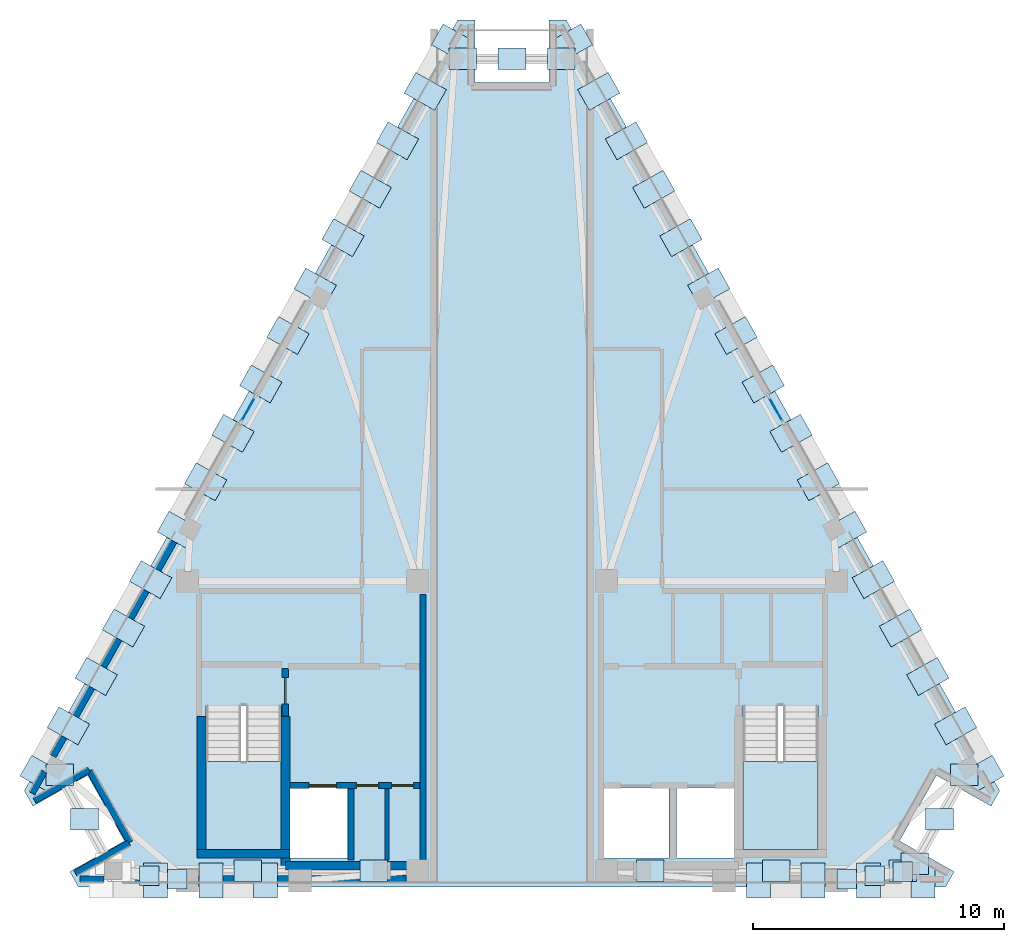
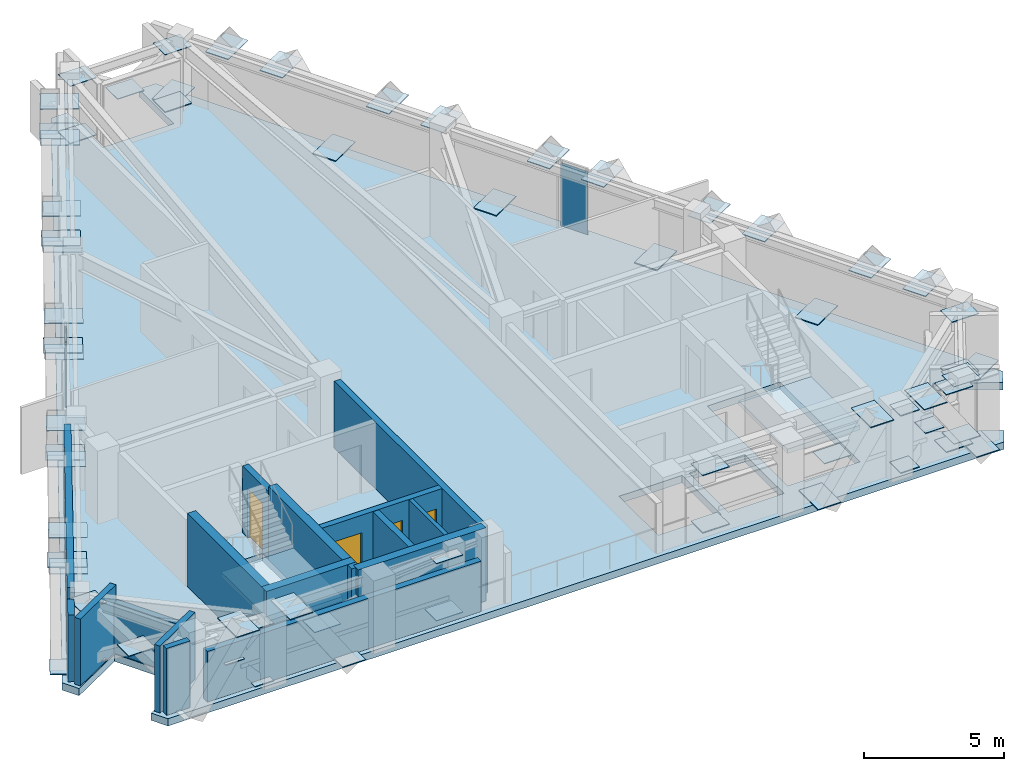
# One storey, part 3 of 7: 70 plates, 16 walls, 4 doors, 3 slabs, 4 openings, 4 elements without a shape of their own.
"""IFC4 building model written with IfcOpenShell, lengths in metres."""

from ifc_helpers import new_model, si_unit, direction, frame, frame_2d, origin, origin_2d, place, context, subcontext, project, spatial, polyline, rectangle, outline, extrude, material, layer, layer_set, type_object, element, fill, aggregate, save


model = new_model("IFC4")

# Units and contexts
model_context = context("Model", 3, precision=1e-05, world=origin(), true_north=direction((0.0, 1.0)))
body_context = subcontext(model_context, "Body", "Model", "MODEL_VIEW")
ifc_project = project(units=[si_unit("LENGTHUNIT", "METRE"), si_unit("AREAUNIT", "SQUARE_METRE"), si_unit("VOLUMEUNIT", "CUBIC_METRE"), si_unit("PLANEANGLEUNIT", "RADIAN"), si_unit("MASSUNIT", "GRAM", prefix="KILO")], contexts=[model_context])

# Site, building, storey
site_placement = place(None, origin())
site = spatial("IfcSite", under=ifc_project, at=site_placement, CompositionType="ELEMENT")
building_placement = place(site_placement, origin())
building = spatial("IfcBuilding", under=site, at=building_placement, Name="Quenlor Broadcast Tower", CompositionType="ELEMENT")
storey_placement = place(building_placement, frame((0.0, 0.0, 270.89990234375)))
storey = spatial("IfcBuildingStorey", under=building, at=storey_placement, Name="L75", CompositionType="ELEMENT", Elevation=270.89990234375)

# Curtain wall, plate
ifc_material_1 = material(Name="Architectural Terracotta and Low-E Glazing", Category="masonry")
curtain_wall_type = type_object("IfcCurtainWallType", Name="Station Concourse and Crown Terracotta Curtain Wall", PredefinedType="NOTDEFINED", material=ifc_material_1)
curtain_wall_1_placement = place(storey_placement, origin())
curtain_wall_1 = element("IfcCurtainWall", 1, at=curtain_wall_1_placement, inside=storey, type_object=curtain_wall_type, Name="L75 Curtain Wall CW6 (L75-NE-G1)", PredefinedType="NOTDEFINED")
ifc_material_2 = material(Name="Double Glazed Low-E Solar Glass", Category="glass")
ifc_layer_1 = layer(ifc_material_2, 0.033935546875)
ifc_layer_set_1 = layer_set([ifc_layer_1], Name="CW6 Double Glazed Vision Panel 34")
plate_type_1 = type_object("IfcPlateType", Name="CW6 Double Glazed Vision Panel 34", PredefinedType="CURTAIN_PANEL", material=ifc_layer_set_1)
plate_1_placement = place(storey_placement, frame((10.5166015625, 2.040771484375, 0.08203125), z_axis=(0.0, 0.0, 1.0), x_axis=(0.490253862078, -0.871579686958, 0.0)))
plate_1 = element("IfcPlate", 2, at=plate_1_placement, type_object=plate_type_1, Name="CW6 panel 1.1", PredefinedType="CURTAIN_PANEL", context=body_context, shape_type="SweptSolid", body=[
    extrude(rectangle(XDim=1.123046875, YDim=0.033935546875, at=origin_2d()), origin(), (0.0, 0.0, 1.0), 2.756103515625),
])
aggregate(curtain_wall_1, [plate_1])

curtain_wall_2_placement = place(storey_placement, origin())
curtain_wall_2 = element("IfcCurtainWall", 3, at=curtain_wall_2_placement, inside=storey, type_object=curtain_wall_type, Name="L75 Curtain Wall CW6 (L75-NW-G1)", PredefinedType="NOTDEFINED")
plate_2_placement = place(storey_placement, frame((-10.5166015625, 2.040771484375, 0.08203125), z_axis=(0.0, 0.0, 1.0), x_axis=(0.490253862078, 0.871579686958, 0.0)))
plate_2 = element("IfcPlate", 4, at=plate_2_placement, type_object=plate_type_1, Name="CW6 panel 1.1", PredefinedType="CURTAIN_PANEL", context=body_context, shape_type="SweptSolid", body=[
    extrude(rectangle(XDim=1.123046875, YDim=0.033935546875, at=origin_2d()), origin(), (0.0, 0.0, 1.0), 2.756103515625),
])
aggregate(curtain_wall_2, [plate_2])

# Slab
ifc_material_3 = material(Name="Concrete C50/60", Category="concrete")
ifc_layer_2 = layer(ifc_material_3, 0.320068359375)
ifc_layer_set_2 = layer_set([ifc_layer_2], Name="Crown Plant Concrete C50/60 Slab 320")
slab_type_1 = type_object("IfcSlabType", Name="Crown Plant Concrete C50/60 Slab 320", PredefinedType="FLOOR", material=ifc_layer_set_2)
slab_1_placement = place(storey_placement, frame((0.0, 0.0, -0.31982421875)))
element("IfcSlab", 5, at=slab_1_placement, inside=storey, type_object=slab_type_1, Name="L75 Structural Floor Slab", PredefinedType="FLOOR", context=body_context, shape_type="SweptSolid", body=[
    extrude(outline(polyline([(17.280029296875, -17.0), (17.62548828125, -16.385498046875), (15.44677734375, -15.159912109375), (16.91552734375, -12.548583984375), (19.094482421875, -13.7744140625), (19.43994140625, -13.159912109375), (2.159912109375, 17.56005859375), (1.46875, 17.56005859375), (1.46875, 15.06005859375), (-1.46875, 15.06005859375), (-1.46875, 17.56005859375), (-2.159912109375, 17.56005859375), (-19.43994140625, -13.159912109375), (-19.094482421875, -13.7744140625), (-16.91552734375, -12.548583984375), (-15.44677734375, -15.159912109375), (-17.62548828125, -16.385498046875), (-17.280029296875, -17.0), (17.280029296875, -17.0)]), holes=[polyline([(-12.199951171875, -9.758056640625), (-12.199951171875, -15.5), (-9.199951171875, -15.5), (-9.199951171875, -9.758056640625), (-12.199951171875, -9.758056640625)]), polyline([(9.199951171875, -9.758056640625), (9.199951171875, -15.5), (12.199951171875, -15.5), (12.199951171875, -9.758056640625), (9.199951171875, -9.758056640625)]), polyline([(-8.85009765625, -15.85009765625), (-6.550048828125, -15.85009765625), (-6.550048828125, -13.050048828125), (-8.85009765625, -13.050048828125), (-8.85009765625, -15.85009765625)]), polyline([(6.550048828125, -15.85009765625), (8.85009765625, -15.85009765625), (8.85009765625, -13.050048828125), (6.550048828125, -13.050048828125), (6.550048828125, -15.85009765625)]), polyline([(3.64990234375, -15.85009765625), (6.25, -15.85009765625), (6.25, -13.050048828125), (3.64990234375, -13.050048828125), (3.64990234375, -15.85009765625)])]), origin(), (0.0, 0.0, 1.0), 0.31982421875),
])

# Plates
ifc_material_4 = material(Name="Steel S355", Category="steel")
ifc_layer_3 = layer(ifc_material_4, 0.031982421875)
ifc_layer_set_3 = layer_set([ifc_layer_3], Name="Outrigger Perimeter Steel S355 Belt Gusset Plate 1100x850x32")
plate_type_2 = type_object("IfcPlateType", Name="Outrigger Perimeter Steel S355 Belt Gusset Plate 1100x850x32", PredefinedType="SHEET", material=ifc_layer_set_3)
for number, where, z_axis, x_axis, name in (
    (6, (-10.540771484375, -16.35009765625, 1.43408203125), (0.0, 0.0, 1.0), (1.0, 0.0, 0.0), "L75 Belt Truss Gusset Plate 1-MID"),
    (7, (-5.50390625, -16.35009765625, 2.68408203125), (0.0, 0.0, 1.0), (1.0, 0.0, 0.0), "L75 Belt Truss Gusset Plate 1-E2"),
    (8, (-5.50390625, -16.35009765625, 0.18408203125), (0.0, 0.0, 1.0), (1.0, 0.0, 0.0), "L75 Belt Truss Gusset Plate 1-E4"),
    (9, (10.540771484375, -16.35009765625, 1.43408203125), (0.0, 0.0, 1.0), (1.0, 0.0, 0.0), "L75 Belt Truss Gusset Plate 3-MID"),
    (10, (5.50390625, -16.35009765625, 0.18408203125), (0.0, 0.0, 1.0), (1.0, 0.0, 0.0), "L75 Belt Truss Gusset Plate 3-E1"),
    (11, (15.57763671875, -16.35009765625, 2.68408203125), (0.0, 0.0, 1.0), (1.0, 0.0, 0.0), "L75 Belt Truss Gusset Plate 3-E2"),
    (12, (5.50390625, -16.35009765625, 2.68408203125), (0.0, 0.0, 1.0), (1.0, 0.0, 0.0), "L75 Belt Truss Gusset Plate 3-E3"),
    (13, (15.57763671875, -16.35009765625, 0.18408203125), (0.0, 0.0, 1.0), (1.0, 0.0, 0.0), "L75 Belt Truss Gusset Plate 3-E4"),
    (14, (17.039794921875, -14.2998046875, 1.43408203125), (0.0, 0.0, 1.0), (1.0, 0.0, 0.0), "L75 Belt Truss Gusset Plate 4-MID"),
    (15, (16.053466796875, -16.070556640625, 0.18408203125), (0.0, 0.0, 1.0), (1.0, 0.0, 0.0), "L75 Belt Truss Gusset Plate 4-E1"),
    (16, (18.026611328125, -12.529296875, 2.68408203125), (0.0, 0.0, 1.0), (1.0, 0.0, 0.0), "L75 Belt Truss Gusset Plate 4-E2"),
    (17, (16.053466796875, -16.070556640625, 2.68408203125), (0.0, 0.0, 1.0), (1.0, 0.0, 0.0), "L75 Belt Truss Gusset Plate 4-E3"),
    (18, (18.026611328125, -12.529296875, 0.18408203125), (0.0, 0.0, 1.0), (1.0, 0.0, 0.0), "L75 Belt Truss Gusset Plate 4-E4"),
    (19, (0.0, 16.012451171875, 1.43408203125), (0.0, 0.0, 1.0), (1.0, 0.0, 0.0), "L75 Belt Truss Gusset Plate 8-MID"),
    (20, (1.964599609375, 16.012451171875, 0.18408203125), (0.0, 0.0, 1.0), (1.0, 0.0, 0.0), "L75 Belt Truss Gusset Plate 8-E1"),
    (21, (-1.964599609375, 16.012451171875, 2.68408203125), (0.0, 0.0, 1.0), (1.0, 0.0, 0.0), "L75 Belt Truss Gusset Plate 8-E2"),
    (22, (1.964599609375, 16.012451171875, 2.68408203125), (0.0, 0.0, 1.0), (1.0, 0.0, 0.0), "L75 Belt Truss Gusset Plate 8-E3"),
    (23, (-1.964599609375, 16.012451171875, 0.18408203125), (0.0, 0.0, 1.0), (1.0, 0.0, 0.0), "L75 Belt Truss Gusset Plate 8-E4"),
    (24, (-17.039794921875, -14.2998046875, 1.43408203125), (0.0, 0.0, 1.0), (1.0, 0.0, 0.0), "L75 Belt Truss Gusset Plate 12-MID"),
    (25, (-18.026611328125, -12.529296875, 0.18408203125), (0.0, 0.0, 1.0), (1.0, 0.0, 0.0), "L75 Belt Truss Gusset Plate 12-E1"),
    (26, (-18.026611328125, -12.529296875, 2.68408203125), (0.0, 0.0, 1.0), (1.0, 0.0, 0.0), "L75 Belt Truss Gusset Plate 12-E3"),
):
    element("IfcPlate", number, at=place(storey_placement, frame(where, z_axis=z_axis, x_axis=x_axis)), inside=storey, type_object=plate_type_2, Name=name, PredefinedType="SHEET", context=body_context, shape_type="SweptSolid", body=[
        extrude(rectangle(XDim=1.10009765625, YDim=0.85009765625, at=origin_2d()), origin(), (0.0, 0.0, 1.0), 0.031982421875),
    ])

# Stair, slab
ifc_material_5 = material(Name="Precast concrete C40/50", Category="concrete")
stair_type = type_object("IfcStairType", Name="Precast Concrete C40/50 Dogleg Stair H320", PredefinedType="HALF_TURN_STAIR", material=ifc_material_5)
stair_1_placement = place(storey_placement, origin())
stair_1 = element("IfcStair", 27, at=stair_1_placement, inside=storey, type_object=stair_type, Name="L75 West Core Fire-Isolated Exit Stair ST-1", PredefinedType="HALF_TURN_STAIR")
ifc_material_6 = material(Name="Precast concrete C40/50", Category="concrete")
ifc_layer_4 = layer(ifc_material_6, 0.199951171875)
ifc_layer_set_4 = layer_set([ifc_layer_4], Name="Precast Concrete C40/50 Stair Landing Slab 200")
slab_type_2 = type_object("IfcSlabType", Name="Precast Concrete C40/50 Stair Landing Slab 200", PredefinedType="LANDING", material=ifc_layer_set_4)
slab_2_placement = place(storey_placement, frame((0.0, 0.0, 1.400146484375)))
slab_2 = element("IfcSlab", 28, at=slab_2_placement, type_object=slab_type_2, Name="ST-1 landing 1", PredefinedType="LANDING", context=body_context, shape_type="SweptSolid", body=[
    extrude(outline(polyline([(-12.199951171875, -11.989990234375), (-12.199951171875, -15.5), (-9.199951171875, -15.5), (-9.199951171875, -11.989990234375), (-12.199951171875, -11.989990234375)])), origin(), (0.0, 0.0, 1.0), 0.199951171875),
])
aggregate(stair_1, [slab_2])

stair_2_placement = place(storey_placement, origin())
stair_2 = element("IfcStair", 29, at=stair_2_placement, inside=storey, type_object=stair_type, Name="L75 East Core Fire-Isolated Exit Stair ST-2", PredefinedType="HALF_TURN_STAIR")
slab_3_placement = place(storey_placement, frame((0.0, 0.0, 1.400146484375)))
slab_3 = element("IfcSlab", 30, at=slab_3_placement, type_object=slab_type_2, Name="ST-2 landing 1", PredefinedType="LANDING", context=body_context, shape_type="SweptSolid", body=[
    extrude(outline(polyline([(9.199951171875, -11.989990234375), (9.199951171875, -15.5), (12.199951171875, -15.5), (12.199951171875, -11.989990234375), (9.199951171875, -11.989990234375)])), origin(), (0.0, 0.0, 1.0), 0.199951171875),
])
aggregate(stair_2, [slab_3])

# Plates
ifc_material_7 = material(Name="Steel S355", Category="steel")
ifc_layer_5 = layer(ifc_material_7, 0.035888671875)
ifc_layer_set_5 = layer_set([ifc_layer_5], Name="Transfer Truss Steel S355 Gusset Node Plate 1400x950x36")
plate_type_3 = type_object("IfcPlateType", Name="Transfer Truss Steel S355 Gusset Node Plate 1400x950x36", PredefinedType="SHEET", material=ifc_layer_set_5)
for number, where, z_axis, x_axis, name in (
    (31, (16.3798828125, -16.735107421875, 0.0419921875), (0.0, 0.0, 1.0), (0.0, -1.0, 0.0), "L75 Lattice Tie Gusset Node S-B0"),
    (32, (14.208984375, -16.735107421875, 2.88232421875), (0.0, 0.0, 1.0), (0.0, -1.0, 0.0), "L75 Lattice Tie Gusset Node S-T1"),
    (33, (9.827880859375, -16.735107421875, 0.0419921875), (0.0, 0.0, 1.0), (0.0, -1.0, 0.0), "L75 Lattice Tie Gusset Node S-B3"),
    (34, (11.998779296875, -16.735107421875, 2.88232421875), (0.0, 0.0, 1.0), (0.0, -1.0, 0.0), "L75 Lattice Tie Gusset Node S-T2"),
    (35, (-9.827880859375, -16.735107421875, 0.0419921875), (0.0, 0.0, 1.0), (0.0, -1.0, 0.0), "L75 Lattice Tie Gusset Node S-B12"),
    (36, (-11.998779296875, -16.735107421875, 2.88232421875), (0.0, 0.0, 1.0), (0.0, -1.0, 0.0), "L75 Lattice Tie Gusset Node S-T13"),
    (37, (-14.208984375, -16.735107421875, 2.88232421875), (0.0, 0.0, 1.0), (0.0, -1.0, 0.0), "L75 Lattice Tie Gusset Node S-T14"),
    (38, (2.3701171875, 16.645751953125, 0.0419921875), (0.0, 0.0, 1.0), (0.871556314255, 0.490295412055, 0.0), "L75 Lattice Tie Gusset Node NE-B0"),
    (39, (3.456787109375, 14.7138671875, 2.88232421875), (0.0, 0.0, 1.0), (0.871556314255, 0.490295412055, 0.0), "L75 Lattice Tie Gusset Node NE-T1"),
    (40, (5.649658203125, 10.8154296875, 0.0419921875), (0.0, 0.0, 1.0), (0.871556314255, 0.490295412055, 0.0), "L75 Lattice Tie Gusset Node NE-B3"),
    (41, (4.56298828125, 12.747314453125, 2.88232421875), (0.0, 0.0, 1.0), (0.871556314255, 0.490295412055, 0.0), "L75 Lattice Tie Gusset Node NE-T2"),
    (42, (6.736328125, 8.8837890625, 2.88232421875), (0.0, 0.0, 1.0), (0.871556314255, 0.490295412055, 0.0), "L75 Lattice Tie Gusset Node NE-T4"),
    (43, (8.92919921875, 4.985107421875, 0.0419921875), (0.0, 0.0, 1.0), (0.871556314255, 0.490295412055, 0.0), "L75 Lattice Tie Gusset Node NE-B6"),
    (44, (7.842529296875, 6.9169921875, 2.88232421875), (0.0, 0.0, 1.0), (0.871556314255, 0.490295412055, 0.0), "L75 Lattice Tie Gusset Node NE-T5"),
    (45, (10.015869140625, 3.053466796875, 2.88232421875), (0.0, 0.0, 1.0), (0.871556314255, 0.490295412055, 0.0), "L75 Lattice Tie Gusset Node NE-T7"),
    (46, (12.208740234375, -0.844970703125, 0.0419921875), (0.0, 0.0, 1.0), (0.871556314255, 0.490295412055, 0.0), "L75 Lattice Tie Gusset Node NE-B9"),
    (47, (11.1220703125, 1.086669921875, 2.88232421875), (0.0, 0.0, 1.0), (0.871556314255, 0.490295412055, 0.0), "L75 Lattice Tie Gusset Node NE-T8"),
    (48, (13.29541015625, -2.77685546875, 2.88232421875), (0.0, 0.0, 1.0), (0.871556314255, 0.490295412055, 0.0), "L75 Lattice Tie Gusset Node NE-T10"),
    (49, (15.48828125, -6.67529296875, 0.0419921875), (0.0, 0.0, 1.0), (0.871556314255, 0.490295412055, 0.0), "L75 Lattice Tie Gusset Node NE-B12"),
    (50, (14.401611328125, -4.743408203125, 2.88232421875), (0.0, 0.0, 1.0), (0.871556314255, 0.490295412055, 0.0), "L75 Lattice Tie Gusset Node NE-T11"),
    (51, (16.574951171875, -8.60693359375, 2.88232421875), (0.0, 0.0, 1.0), (0.871556314255, 0.490295412055, 0.0), "L75 Lattice Tie Gusset Node NE-T13"),
    (52, (18.767822265625, -12.505615234375, 0.0419921875), (0.0, 0.0, 1.0), (0.871556314255, 0.490295412055, 0.0), "L75 Lattice Tie Gusset Node NE-B15"),
    (53, (17.68115234375, -10.57373046875, 2.88232421875), (0.0, 0.0, 1.0), (0.871556314255, 0.490295412055, 0.0), "L75 Lattice Tie Gusset Node NE-T14"),
    (54, (-18.767822265625, -12.505615234375, 0.0419921875), (0.0, 0.0, 1.0), (-0.871556314255, 0.490295412055, 0.0), "L75 Lattice Tie Gusset Node NW-B0"),
    (55, (-17.68115234375, -10.57373046875, 2.88232421875), (0.0, 0.0, 1.0), (-0.871556314255, 0.490295412055, 0.0), "L75 Lattice Tie Gusset Node NW-T1"),
    (56, (-15.48828125, -6.67529296875, 0.0419921875), (0.0, 0.0, 1.0), (-0.871556314255, 0.490295412055, 0.0), "L75 Lattice Tie Gusset Node NW-B3"),
    (57, (-16.574951171875, -8.60693359375, 2.88232421875), (0.0, 0.0, 1.0), (-0.871556314255, 0.490295412055, 0.0), "L75 Lattice Tie Gusset Node NW-T2"),
    (58, (-14.401611328125, -4.743408203125, 2.88232421875), (0.0, 0.0, 1.0), (-0.871556314255, 0.490295412055, 0.0), "L75 Lattice Tie Gusset Node NW-T4"),
    (59, (-12.208740234375, -0.844970703125, 0.0419921875), (0.0, 0.0, 1.0), (-0.871556314255, 0.490295412055, 0.0), "L75 Lattice Tie Gusset Node NW-B6"),
    (60, (-13.29541015625, -2.77685546875, 2.88232421875), (0.0, 0.0, 1.0), (-0.871556314255, 0.490295412055, 0.0), "L75 Lattice Tie Gusset Node NW-T5"),
    (61, (-11.1220703125, 1.086669921875, 2.88232421875), (0.0, 0.0, 1.0), (-0.871556314255, 0.490295412055, 0.0), "L75 Lattice Tie Gusset Node NW-T7"),
    (62, (-8.92919921875, 4.985107421875, 0.0419921875), (0.0, 0.0, 1.0), (-0.871556314255, 0.490295412055, 0.0), "L75 Lattice Tie Gusset Node NW-B9"),
    (63, (-10.015869140625, 3.053466796875, 2.88232421875), (0.0, 0.0, 1.0), (-0.871556314255, 0.490295412055, 0.0), "L75 Lattice Tie Gusset Node NW-T8"),
    (64, (-7.842529296875, 6.9169921875, 2.88232421875), (0.0, 0.0, 1.0), (-0.871556314255, 0.490295412055, 0.0), "L75 Lattice Tie Gusset Node NW-T10"),
    (65, (-5.649658203125, 10.8154296875, 0.0419921875), (0.0, 0.0, 1.0), (-0.871556314255, 0.490295412055, 0.0), "L75 Lattice Tie Gusset Node NW-B12"),
    (66, (-6.736328125, 8.8837890625, 2.88232421875), (0.0, 0.0, 1.0), (-0.871556314255, 0.490295412055, 0.0), "L75 Lattice Tie Gusset Node NW-T11"),
    (67, (-4.56298828125, 12.747314453125, 2.88232421875), (0.0, 0.0, 1.0), (-0.871556314255, 0.490295412055, 0.0), "L75 Lattice Tie Gusset Node NW-T13"),
    (68, (-2.3701171875, 16.645751953125, 0.0419921875), (0.0, 0.0, 1.0), (-0.871556314255, 0.490295412055, 0.0), "L75 Lattice Tie Gusset Node NW-B15"),
    (69, (-3.456787109375, 14.7138671875, 2.88232421875), (0.0, 0.0, 1.0), (-0.871556314255, 0.490295412055, 0.0), "L75 Lattice Tie Gusset Node NW-T14"),
):
    element("IfcPlate", number, at=place(storey_placement, frame(where, z_axis=z_axis, x_axis=x_axis)), inside=storey, type_object=plate_type_3, Name=name, PredefinedType="SHEET", context=body_context, shape_type="SweptSolid", body=[
        extrude(rectangle(XDim=1.39990234375, YDim=0.949951171875, at=origin_2d()), origin(), (0.0, 0.0, 1.0), 0.035888671875),
    ])
ifc_material_8 = material(Name="Steel S355", Category="steel")
ifc_layer_6 = layer(ifc_material_8, 0.030029296875)
ifc_layer_set_6 = layer_set([ifc_layer_6], Name="Wind Portal Ring Steel S355 Box Cap Plate 780x780x30")
plate_type_4 = type_object("IfcPlateType", Name="Wind Portal Ring Steel S355 Box Cap Plate 780x780x30", PredefinedType="USERDEFINED", material=ifc_layer_set_6)
for number, where, z_axis, x_axis, name in (
    (70, (-14.46337890625, -16.544677734375, 1.43505859375), (0.0, 0.0, 1.0), (1.0, 0.0, 0.0), "L75 Outrigger Gusset Plate 1-MID"),
    (71, (-13.346435546875, -16.6962890625, 0.18505859375), (0.0, 0.0, 1.0), (1.0, 0.0, 0.0), "L75 Outrigger Gusset Plate 1-E1"),
    (72, (-13.346435546875, -16.6962890625, 2.68505859375), (0.0, 0.0, 1.0), (1.0, 0.0, 0.0), "L75 Outrigger Gusset Plate 1-E3"),
    (73, (14.46337890625, -16.544677734375, 1.43505859375), (0.0, 0.0, 1.0), (1.0, 0.0, 0.0), "L75 Outrigger Gusset Plate 2-MID"),
    (74, (13.346435546875, -16.6962890625, 0.18505859375), (0.0, 0.0, 1.0), (1.0, 0.0, 0.0), "L75 Outrigger Gusset Plate 2-E1"),
    (75, (15.58056640625, -16.39306640625, 2.68505859375), (0.0, 0.0, 1.0), (1.0, 0.0, 0.0), "L75 Outrigger Gusset Plate 2-E2"),
    (76, (13.346435546875, -16.6962890625, 2.68505859375), (0.0, 0.0, 1.0), (1.0, 0.0, 0.0), "L75 Outrigger Gusset Plate 2-E3"),
    (77, (15.58056640625, -16.39306640625, 0.18505859375), (0.0, 0.0, 1.0), (1.0, 0.0, 0.0), "L75 Outrigger Gusset Plate 2-E4"),
):
    element("IfcPlate", number, at=place(storey_placement, frame(where, z_axis=z_axis, x_axis=x_axis)), inside=storey, type_object=plate_type_4, Name=name, ObjectType="CAP PLATE", PredefinedType="USERDEFINED", context=body_context, shape_type="SweptSolid", body=[
        extrude(rectangle(XDim=0.780029296875, YDim=0.780029296875, at=origin_2d()), origin(), (0.0, 0.0, 1.0), 0.030029296875),
    ])

# Walls
ifc_material_9 = material(Name="Concrete C50/60", Category="concrete")
ifc_layer_7 = layer(ifc_material_9, 0.35009765625)
ifc_layer_set_7 = layer_set([ifc_layer_7], Name="Core Concrete C50/60 Shear Wall 350")
wall_type_1 = type_object("IfcWallType", Name="Core Concrete C50/60 Shear Wall 350", PredefinedType="SHEAR", material=ifc_layer_set_7)
wall_1_placement = place(storey_placement, frame((-12.550048828125, -15.675048828125, 0.0), z_axis=(0.0, 0.0, 1.0), x_axis=(1.0, 0.0, 0.0)))
element("IfcWall", 78, at=wall_1_placement, inside=storey, type_object=wall_type_1, Name="L75 Core Shear Wall WS-W1", PredefinedType="SHEAR", context=body_context, shape_type="SweptSolid", body=[
    extrude(rectangle(XDim=3.699951171875, YDim=0.35009765625, at=frame_2d((1.85009765625, 0.0))), origin(), (0.0, 0.0, 1.0), 3.2001953125),
])
wall_2_placement = place(storey_placement, frame((-9.02490234375, -16.14990234375, 0.0), z_axis=(0.0, 0.0, 1.0), x_axis=(1.0, 0.0, 0.0)))
element("IfcWall", 79, at=wall_2_placement, inside=storey, type_object=wall_type_1, Name="L75 Core Shear Wall WS-W2", PredefinedType="SHEAR", context=body_context, shape_type="SweptSolid", body=[
    extrude(rectangle(XDim=5.27490234375, YDim=0.35009765625, at=frame_2d((2.637451171875, 0.0))), origin(), (0.0, 0.0, 1.0), 3.2001953125),
])
wall_3_placement = place(storey_placement, frame((-12.375, -15.675048828125, 0.0), z_axis=(0.0, 0.0, 1.0), x_axis=(0.0, 1.0, 0.0)))
element("IfcWall", 80, at=wall_3_placement, inside=storey, type_object=wall_type_1, Name="L75 Core Shear Wall WF-W", PredefinedType="SHEAR", context=body_context, shape_type="SweptSolid", body=[
    extrude(rectangle(XDim=5.47509765625, YDim=0.35009765625, at=frame_2d((2.737548828125, 0.0))), origin(), (0.0, 0.0, 1.0), 3.2001953125),
])
wall_4_placement = place(storey_placement, frame((-9.02490234375, -16.14990234375, 0.0), z_axis=(0.0, 0.0, 1.0), x_axis=(0.0, 1.0, 0.0)))
element("IfcWall", 81, at=wall_4_placement, inside=storey, type_object=wall_type_1, Name="L75 Core Shear Wall WI-W", PredefinedType="SHEAR", context=body_context, shape_type="SweptSolid", body=[
    extrude(rectangle(XDim=5.949951171875, YDim=0.35009765625, at=frame_2d((2.97509765625, 0.0))), origin(), (0.0, 0.0, 1.0), 3.2001953125),
])

# Wall, opening, door
ifc_material_10 = material(Name="Concrete C40/50", Category="concrete")
ifc_layer_8 = layer(ifc_material_10, 0.25)
ifc_layer_set_8 = layer_set([ifc_layer_8], Name="Fire Rated Concrete C40/50 Core Wall 250")
wall_type_2 = type_object("IfcWallType", Name="Fire Rated Concrete C40/50 Core Wall 250", PredefinedType="PARTITIONING", material=ifc_layer_set_8)
wall_5_placement = place(storey_placement, frame((-9.0400390625, -10.179931640625, 0.0), z_axis=(0.0, 0.0, 1.0), x_axis=(0.0, 1.0, 0.0)))
wall_5 = element("IfcWall", 82, at=wall_5_placement, inside=storey, type_object=wall_type_2, Name="L75 Interior Wall CW-ST1-DR", PredefinedType="PARTITIONING", context=body_context, shape_type="SweptSolid", body=[
    extrude(rectangle(XDim=1.89990234375, YDim=0.25, at=frame_2d((0.949951171875, 0.0))), origin(), (0.0, 0.0, 1.0), 2.920166015625),
])
opening_1_placement = place(wall_5_placement, frame((0.47998046875, 0.0, 0.0)))
opening_1 = element("IfcOpeningElement", 83, at=opening_1_placement, cuts=wall_5, Name="Opening FD-1", PredefinedType="OPENING", context=body_context, shape_type="SweptSolid", body=[
    extrude(rectangle(XDim=1.050048828125, YDim=2.14990234375, at=frame_2d((0.52490234375, 1.074951171875))), frame((0.0, 0.135009765625, 0.0), z_axis=(0.0, -1.0, 0.0), x_axis=(1.0, 0.0, 0.0)), (0.0, 0.0, 1.0), 0.27001953125),
])
ifc_material_11 = material(Name="Fire Rated Steel Door Leaf", Category="steel")
door_type_1 = type_object("IfcDoorType", Name="Fire Isolated Stair Door 1050x2150", OperationType="NOTDEFINED", PredefinedType="DOOR", material=ifc_material_11)
door_1_placement = place(opening_1_placement, origin())
door_1 = element("IfcDoor", 84, at=door_1_placement, inside=storey, type_object=door_type_1, Name="L75 Door DR-ST1", OperationType="SINGLE_SWING_LEFT", OverallHeight=2.14990234375, OverallWidth=1.050048828125, PredefinedType="DOOR", context=body_context, shape_type="SweptSolid", body=[
    extrude(rectangle(XDim=1.050048828125, YDim=2.14990234375, at=frame_2d((0.52490234375, 1.074951171875))), frame((0.0, 0.02490234375, 0.0), z_axis=(0.0, -1.0, 0.0), x_axis=(1.0, 0.0, 0.0)), (0.0, 0.0, 1.0), 0.050048828125),
])
fill(opening_1, door_1)

# Wall, openings, doors
wall_6_placement = place(storey_placement, frame((-8.847900390625, -12.949951171875, 0.0), z_axis=(0.0, 0.0, 1.0), x_axis=(1.0, 0.0, 0.0)))
wall_6 = element("IfcWall", 85, at=wall_6_placement, inside=storey, type_object=wall_type_2, Name="L75 Interior Wall CW-FFW-S", PredefinedType="PARTITIONING", context=body_context, shape_type="SweptSolid", body=[
    extrude(rectangle(XDim=5.16796875, YDim=0.25, at=frame_2d((2.583984375, 0.0))), origin(), (0.0, 0.0, 1.0), 2.920166015625),
])
opening_2_placement = place(wall_6_placement, frame((0.748046875, 0.0, 0.0)))
opening_2 = element("IfcOpeningElement", 86, at=opening_2_placement, cuts=wall_6, Name="Opening LD-FFL-1", PredefinedType="OPENING", context=body_context, shape_type="SweptSolid", body=[
    extrude(rectangle(XDim=1.10009765625, YDim=2.14990234375, at=frame_2d((0.550048828125, 1.074951171875))), frame((0.0, 0.135009765625, 0.0), z_axis=(0.0, -1.0, 0.0), x_axis=(1.0, 0.0, 0.0)), (0.0, 0.0, 1.0), 0.27001953125),
])
opening_3_placement = place(wall_6_placement, frame((2.64794921875, 0.0, 0.0)))
opening_3 = element("IfcOpeningElement", 87, at=opening_3_placement, cuts=wall_6, Name="Opening TD-1", PredefinedType="OPENING", context=body_context, shape_type="SweptSolid", body=[
    extrude(rectangle(XDim=0.8798828125, YDim=2.10009765625, at=frame_2d((0.43994140625, 1.050048828125))), frame((0.0, 0.135009765625, 0.0), z_axis=(0.0, -1.0, 0.0), x_axis=(1.0, 0.0, 0.0)), (0.0, 0.0, 1.0), 0.27001953125),
])
opening_4_placement = place(wall_6_placement, frame((4.048095703125, 0.0, 0.0)))
opening_4 = element("IfcOpeningElement", 88, at=opening_4_placement, cuts=wall_6, Name="Opening TD-1", PredefinedType="OPENING", context=body_context, shape_type="SweptSolid", body=[
    extrude(rectangle(XDim=0.8798828125, YDim=2.10009765625, at=frame_2d((0.43994140625, 1.050048828125))), frame((0.0, 0.135009765625, 0.0), z_axis=(0.0, -1.0, 0.0), x_axis=(1.0, 0.0, 0.0)), (0.0, 0.0, 1.0), 0.27001953125),
])
ifc_material_12 = material(Name="Brushed Stainless Steel", Category="steel")
door_type_2 = type_object("IfcDoorType", Name="Emergency Lift Sliding Landing Door 1100x2150", OperationType="NOTDEFINED", PredefinedType="DOOR", material=ifc_material_12)
door_2_placement = place(opening_2_placement, origin())
door_2 = element("IfcDoor", 89, at=door_2_placement, inside=storey, type_object=door_type_2, Name="L75 Door LD-FFL-1", OperationType="SLIDING_TO_LEFT", OverallHeight=2.14990234375, OverallWidth=1.10009765625, PredefinedType="DOOR", context=body_context, shape_type="SweptSolid", body=[
    extrude(rectangle(XDim=1.10009765625, YDim=2.14990234375, at=frame_2d((0.550048828125, 1.074951171875))), frame((0.0, 0.02490234375, 0.0), z_axis=(0.0, -1.0, 0.0), x_axis=(1.0, 0.0, 0.0)), (0.0, 0.0, 1.0), 0.050048828125),
])
fill(opening_2, door_2)
ifc_material_13 = material(Name="Fire Rated Steel Access Panel", Category="steel")
door_type_3 = type_object("IfcDoorType", Name="Riser Shaft Rated Access Trapdoor 880x2100", OperationType="NOTDEFINED", PredefinedType="TRAPDOOR", material=ifc_material_13)
door_3_placement = place(opening_3_placement, origin())
door_3 = element("IfcDoor", 90, at=door_3_placement, inside=storey, type_object=door_type_3, Name="L75 Door DR-ELR", OperationType="SINGLE_SWING_LEFT", OverallHeight=2.10009765625, OverallWidth=0.8798828125, PredefinedType="TRAPDOOR", context=body_context, shape_type="SweptSolid", body=[
    extrude(rectangle(XDim=0.8798828125, YDim=2.10009765625, at=frame_2d((0.43994140625, 1.050048828125))), frame((0.0, 0.02490234375, 0.0), z_axis=(0.0, -1.0, 0.0), x_axis=(1.0, 0.0, 0.0)), (0.0, 0.0, 1.0), 0.050048828125),
])
fill(opening_3, door_3)
door_4_placement = place(opening_4_placement, origin())
door_4 = element("IfcDoor", 91, at=door_4_placement, inside=storey, type_object=door_type_3, Name="L75 Door DR-CMR", OperationType="SINGLE_SWING_RIGHT", OverallHeight=2.10009765625, OverallWidth=0.8798828125, PredefinedType="TRAPDOOR", context=body_context, shape_type="SweptSolid", body=[
    extrude(rectangle(XDim=0.8798828125, YDim=2.10009765625, at=frame_2d((0.43994140625, 1.050048828125))), frame((0.0, 0.02490234375, 0.0), z_axis=(0.0, -1.0, 0.0), x_axis=(1.0, 0.0, 0.0)), (0.0, 0.0, 1.0), 0.050048828125),
])
fill(opening_4, door_4)

# Walls
wall_7_placement = place(storey_placement, frame((-6.419921875, -15.919921875, 0.0), z_axis=(0.0, 0.0, 1.0), x_axis=(0.0, 1.0, 0.0)))
element("IfcWall", 92, at=wall_7_placement, inside=storey, type_object=wall_type_2, Name="L75 Interior Wall CW-FF1-E", PredefinedType="PARTITIONING", context=body_context, shape_type="SweptSolid", body=[
    extrude(rectangle(XDim=2.829833984375, YDim=0.25, at=frame_2d((1.4150390625, 0.0))), origin(), (0.0, 0.0, 1.0), 2.920166015625),
])
wall_8_placement = place(storey_placement, frame((-3.550048828125, -15.89794921875, 0.0), z_axis=(0.0, 0.0, 1.0), x_axis=(0.0, 1.0, 0.0)))
element("IfcWall", 93, at=wall_8_placement, inside=storey, type_object=wall_type_2, Name="L75 Interior Wall CW-FFW-E", PredefinedType="PARTITIONING", context=body_context, shape_type="SweptSolid", body=[
    extrude(rectangle(XDim=10.557861328125, YDim=0.25, at=frame_2d((5.27880859375, 0.0))), origin(), (0.0, 0.0, 1.0), 2.920166015625),
])
ifc_material_14 = material(Name="Gypsum Fireboard Partition", Category="other")
ifc_layer_9 = layer(ifc_material_14, 0.159912109375)
ifc_layer_set_9 = layer_set([ifc_layer_9], Name="Fire Rated Shaft and Corridor Partition 160")
wall_type_3 = type_object("IfcWallType", Name="Fire Rated Shaft and Corridor Partition 160", PredefinedType="PARTITIONING", material=ifc_layer_set_9)
wall_9_placement = place(storey_placement, frame((-4.97998046875, -15.919921875, 0.0), z_axis=(0.0, 0.0, 1.0), x_axis=(0.0, 1.0, 0.0)))
element("IfcWall", 94, at=wall_9_placement, inside=storey, type_object=wall_type_3, Name="L75 Interior Wall CW-ELR-E", PredefinedType="PARTITIONING", context=body_context, shape_type="SweptSolid", body=[
    extrude(rectangle(XDim=2.829833984375, YDim=0.159912109375, at=frame_2d((1.4150390625, 0.0))), origin(), (0.0, 0.0, 1.0), 2.920166015625),
])
ifc_material_15 = material(Name="Precast concrete C40/50", Category="concrete")
ifc_layer_10 = layer(ifc_material_15, 0.239990234375)
ifc_layer_set_10 = layer_set([ifc_layer_10], Name="Terrace Threshold Precast Concrete C40/50 Wall 240")
wall_type_4 = type_object("IfcWallType", Name="Terrace Threshold Precast Concrete C40/50 Wall 240", PredefinedType="STANDARD", material=ifc_layer_set_10)
wall_10_placement = place(storey_placement, frame((-16.252685546875, -16.675048828125, 0.0), z_axis=(0.0, 0.0, 1.0), x_axis=(-1.0, 0.0, 0.0)))
element("IfcWall", 95, at=wall_10_placement, inside=storey, type_object=wall_type_4, Name="L75 Exterior Wall L75-SHD-SS1", PredefinedType="STANDARD", context=body_context, shape_type="SweptSolid", body=[
    extrude(rectangle(XDim=0.96728515625, YDim=0.239990234375, at=frame_2d((0.483642578125, 0.0))), origin(), (0.0, 0.0, 1.0), 2.920166015625),
])
wall_11_placement = place(storey_placement, frame((-19.127197265625, -13.26708984375, 0.0), z_axis=(0.0, 0.0, 1.0), x_axis=(0.490261239633, 0.871575537125, 0.0)))
element("IfcWall", 96, at=wall_11_placement, inside=storey, type_object=wall_type_4, Name="L75 Exterior Wall L75-SHD-NWS0", PredefinedType="STANDARD", context=body_context, shape_type="SweptSolid", body=[
    extrude(rectangle(XDim=0.994873046875, YDim=0.239990234375, at=frame_2d((0.49755859375, 0.0))), origin(), (0.0, 0.0, 1.0), 2.920166015625),
])
wall_12_placement = place(storey_placement, frame((-19.033447265625, -13.556396484375, 0.0), z_axis=(0.0, 0.0, 1.0), x_axis=(0.871588577066, 0.490238056792, 0.0)))
element("IfcWall", 97, at=wall_12_placement, inside=storey, type_object=wall_type_4, Name="L75 Exterior Wall L75-CNR-13", PredefinedType="STANDARD", context=body_context, shape_type="SweptSolid", body=[
    extrude(rectangle(XDim=2.5, YDim=0.239990234375, at=frame_2d((1.25, 0.0))), origin(), (0.0, 0.0, 1.0), 2.920166015625),
])
wall_13_placement = place(storey_placement, frame((-16.8349609375, -12.36572265625, 0.0), z_axis=(0.0, 0.0, 1.0), x_axis=(0.490293083368, -0.871557624258, 0.0)))
element("IfcWall", 98, at=wall_13_placement, inside=storey, type_object=wall_type_4, Name="L75 Exterior Wall L75-CNR-14", PredefinedType="STANDARD", context=body_context, shape_type="SweptSolid", body=[
    extrude(rectangle(XDim=3.276123046875, YDim=0.239990234375, at=frame_2d((1.63818359375, 0.0))), origin(), (0.0, 0.0, 1.0), 2.2041015625),
])
wall_14_placement = place(storey_placement, frame((-15.263671875, -15.240478515625, 0.0), z_axis=(0.0, 0.0, 1.0), x_axis=(-0.87157023615, -0.490270663468, 0.0)))
element("IfcWall", 99, at=wall_14_placement, inside=storey, type_object=wall_type_4, Name="L75 Exterior Wall L75-CNR-15", PredefinedType="STANDARD", context=body_context, shape_type="SweptSolid", body=[
    extrude(rectangle(XDim=2.4599609375, YDim=0.239990234375, at=frame_2d((1.22998046875, 0.0))), origin(), (0.0, 0.0, 1.0), 2.920166015625),
])
ifc_material_16 = material(Name="Precast concrete C40/50", Category="concrete")
ifc_layer_11 = layer(ifc_material_16, 0.260009765625)
ifc_layer_set_11 = layer_set([ifc_layer_11], Name="Terracotta Precast Concrete C40/50 Upper Wall 260")
wall_type_5 = type_object("IfcWallType", Name="Terracotta Precast Concrete C40/50 Upper Wall 260", PredefinedType="STANDARD", material=ifc_layer_set_11)
wall_15_placement = place(storey_placement, frame((-4.219970703125, -16.675048828125, 0.0), z_axis=(0.0, 0.0, 1.0), x_axis=(-1.0, 0.0, 0.0)))
element("IfcWall", 100, at=wall_15_placement, inside=storey, type_object=wall_type_5, Name="L75 Exterior Wall L75-EW-SC", PredefinedType="STANDARD", context=body_context, shape_type="SweptSolid", body=[
    extrude(rectangle(XDim=11.322509765625, YDim=0.260009765625, at=frame_2d((5.6611328125, 0.0))), origin(), (0.0, 0.0, 1.0), 2.2041015625),
])
wall_16_placement = place(storey_placement, frame((-18.29150390625, -11.781005859375, 0.0), z_axis=(0.0, 0.0, 1.0), x_axis=(0.490270316201, 0.871570431492, 0.0)))
element("IfcWall", 101, at=wall_16_placement, inside=storey, type_object=wall_type_5, Name="L75 Exterior Wall L75-EW-NWA", PredefinedType="STANDARD", context=body_context, shape_type="SweptSolid", body=[
    extrude(rectangle(XDim=10.21630859375, YDim=0.260009765625, at=frame_2d((5.108154296875, 0.0))), origin(), (0.0, 0.0, 1.0), 2.920166015625),
])

save(model, "model.ifc")
